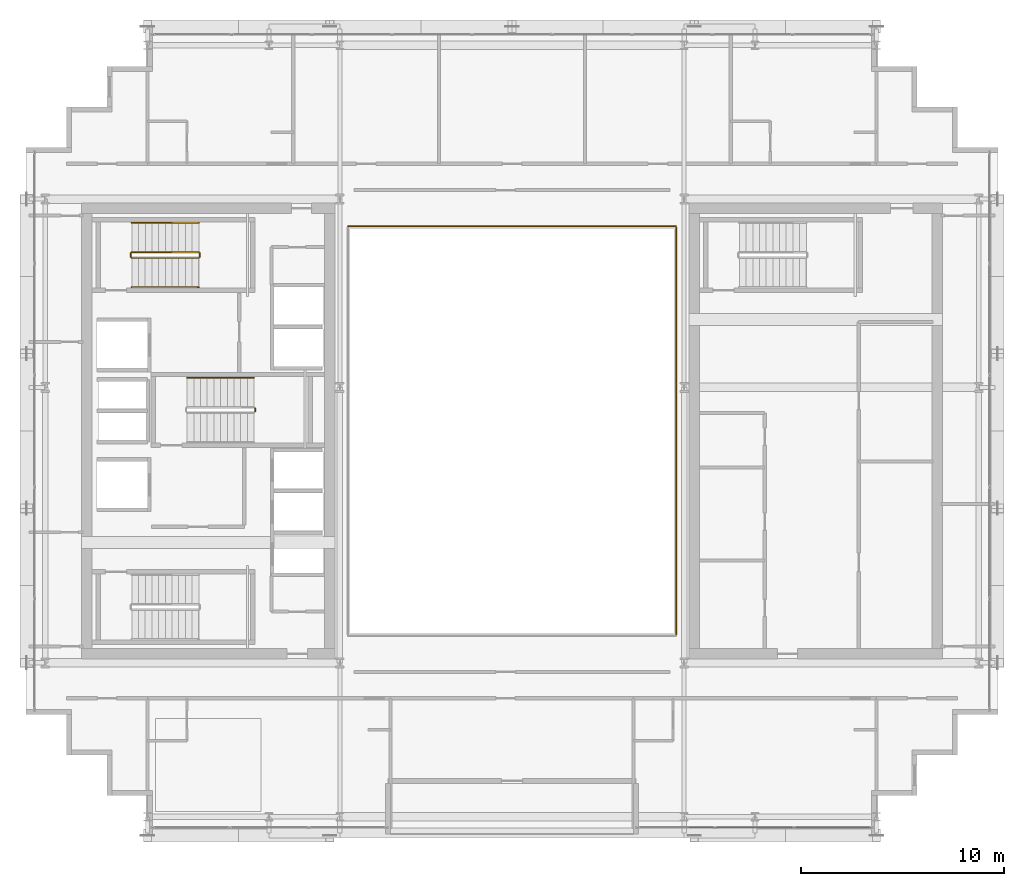
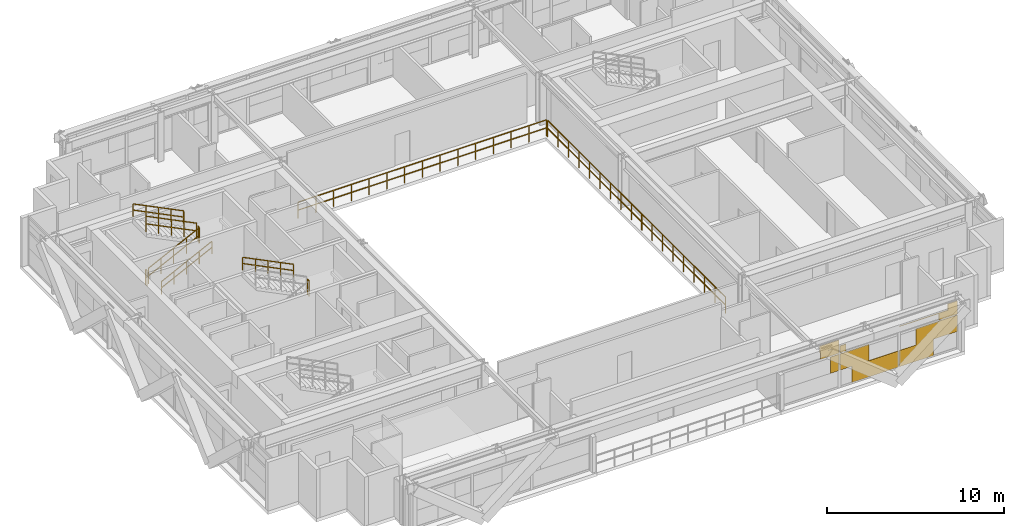
# One storey, part 29 of 31: 10 railings, 1 covering.
"""IFC4 building model written with IfcOpenShell, lengths in metres."""

from ifc_helpers import new_model, si_unit, direction, frame, origin, origin_2d, place, context, subcontext, project, spatial, rectangle, extrude, material, layer, layer_set, type_object, element, save


model = new_model("IFC4")

# Units and contexts
model_context = context("Model", 3, precision=1e-05, world=origin(), true_north=direction((0.0, 1.0)))
body_context = subcontext(model_context, "Body", "Model", "MODEL_VIEW")
ifc_project = project(units=[si_unit("LENGTHUNIT", "METRE"), si_unit("AREAUNIT", "SQUARE_METRE"), si_unit("VOLUMEUNIT", "CUBIC_METRE"), si_unit("PLANEANGLEUNIT", "RADIAN"), si_unit("MASSUNIT", "GRAM", prefix="KILO")], contexts=[model_context])

# Site, building, storey
site_placement = place(None, origin())
site = spatial("IfcSite", under=ifc_project, at=site_placement, CompositionType="ELEMENT")
building_placement = place(site_placement, origin())
building = spatial("IfcBuilding", under=site, at=building_placement, Name="Ocotamira Hotel", CompositionType="ELEMENT")
storey_placement = place(building_placement, frame((0.0, 0.0, 199.199951171875)))
storey = spatial("IfcBuildingStorey", under=building, at=storey_placement, Name="L50", CompositionType="ELEMENT", Elevation=199.199951171875)

# Covering
ifc_material_1 = material(Name="Insulated pale-metal aluminium spandrel panel", Category="aluminium")
ifc_layer = layer(ifc_material_1, 0.044921875)
ifc_layer_set = layer_set([ifc_layer], Name="Insulated pale-metal aluminium spandrel panel")
covering_type = type_object("IfcCoveringType", Name="COV-INFILL-45", PredefinedType="CLADDING", material=ifc_layer_set)
covering_placement = place(storey_placement, origin())
element("IfcCovering", 1, at=covering_placement, inside=storey, type_object=covering_type, Name="L50 Curtain Wall Infill CW-4 CW-L50-S2", PredefinedType="CLADDING", context=body_context, shape_type="SweptSolid", body=[
    extrude(rectangle(XDim=0.543212890625, YDim=0.044921875, at=origin_2d()), frame((41.72119140625, 6.419921875, 1.1943359375), z_axis=(0.0, 0.0, 1.0), x_axis=(1.0, 0.0, 0.0)), (0.0, 0.0, 1.0), 1.11767578125),
    extrude(rectangle(XDim=1.23046875, YDim=0.044921875, at=origin_2d()), frame((41.377685546875, 6.419921875, 2.83154296875), z_axis=(0.0, 0.0, 1.0), x_axis=(1.0, 0.0, 0.0)), (0.0, 0.0, 1.0), 0.462890625),
    extrude(rectangle(XDim=1.19140625, YDim=0.044921875, at=origin_2d()), frame((41.397216796875, 6.419921875, 2.38818359375), z_axis=(0.0, 0.0, 1.0), x_axis=(1.0, 0.0, 0.0)), (0.0, 0.0, 1.0), 0.442626953125),
    extrude(rectangle(XDim=1.893798828125, YDim=0.044921875, at=origin_2d()), frame((43.020751953125, 6.419921875, 1.1943359375), z_axis=(0.0, 0.0, 1.0), x_axis=(1.0, 0.0, 0.0)), (0.0, 0.0, 1.0), 1.11767578125),
    extrude(rectangle(XDim=3.028076171875, YDim=0.044921875, at=origin_2d()), frame((44.362060546875, 6.419921875, 0.07568359375), z_axis=(0.0, 0.0, 1.0), x_axis=(1.0, 0.0, 0.0)), (0.0, 0.0, 1.0), 1.117919921875),
    extrude(rectangle(XDim=0.401611328125, YDim=0.044921875, at=origin_2d()), frame((42.274658203125, 6.419921875, 2.38818359375), z_axis=(0.0, 0.0, 1.0), x_axis=(1.0, 0.0, 0.0)), (0.0, 0.0, 1.0), 0.473876953125),
    extrude(rectangle(XDim=2.19482421875, YDim=0.044921875, at=origin_2d()), frame((47.0546875, 6.419921875, 0.07568359375), z_axis=(0.0, 0.0, 1.0), x_axis=(1.0, 0.0, 0.0)), (0.0, 0.0, 1.0), 1.117919921875),
    extrude(rectangle(XDim=2.68701171875, YDim=0.044921875, at=origin_2d()), frame((48.3759765625, 6.419921875, 1.1943359375), z_axis=(0.0, 0.0, 1.0), x_axis=(1.0, 0.0, 0.0)), (0.0, 0.0, 1.0), 1.11767578125),
    extrude(rectangle(XDim=3.76220703125, YDim=0.044921875, at=origin_2d()), frame((47.83837890625, 6.419921875, 2.83154296875), z_axis=(0.0, 0.0, 1.0), x_axis=(1.0, 0.0, 0.0)), (0.0, 0.0, 1.0), 0.0302734375),
    extrude(rectangle(XDim=1.19482421875, YDim=0.044921875, at=origin_2d()), frame((49.1220703125, 6.419921875, 2.38818359375), z_axis=(0.0, 0.0, 1.0), x_axis=(1.0, 0.0, 0.0)), (0.0, 0.0, 1.0), 0.442626953125),
    extrude(rectangle(XDim=0.601318359375, YDim=0.044921875, at=origin_2d()), frame((49.418701171875, 6.419921875, 2.863037109375), z_axis=(0.0, 0.0, 1.0), x_axis=(1.0, 0.0, 0.0)), (0.0, 0.0, 1.0), 0.431640625),
])

# Railings
ifc_material_2 = material(Name="Painted steel stair guardrail", Category="steel")
railing_type_1 = type_object("IfcRailingType", Name="RL-EDGE-1150", PredefinedType="GUARDRAIL", material=ifc_material_2)
railing_1_placement = place(storey_placement, frame((40.1201171875, 15.9599609375, 0.0)))
element("IfcRailing", 2, at=railing_1_placement, inside=storey, type_object=railing_type_1, Name="L50 Central Atrium Edge Guardrail E", PredefinedType="GUARDRAIL", context=body_context, shape_type="SweptSolid", body=[
    extrude(rectangle(XDim=0.048095703125, YDim=0.048095703125, at=origin_2d()), frame((0.0, 0.0, 1.1259765625), z_axis=(0.0, 1.0, 0.0), x_axis=(-1.0, 0.0, 0.0)), (0.0, 0.0, 1.0), 20.080078125),
    extrude(rectangle(XDim=0.048095703125, YDim=0.048095703125, at=origin_2d()), frame((0.0, 0.0, 0.574951171875), z_axis=(0.0, 1.0, 0.0), x_axis=(-1.0, 0.0, 0.0)), (0.0, 0.0, 1.0), 20.080078125),
    extrude(rectangle(XDim=0.0419921875, YDim=0.0419921875, at=origin_2d()), origin(), (0.0, 0.0, 1.0), 1.101806640625),
    extrude(rectangle(XDim=0.0419921875, YDim=0.0419921875, at=origin_2d()), frame((0.0, 1.18115234375, 0.0)), (0.0, 0.0, 1.0), 1.101806640625),
    extrude(rectangle(XDim=0.0419921875, YDim=0.0419921875, at=origin_2d()), frame((0.0, 2.3623046875, 0.0)), (0.0, 0.0, 1.0), 1.101806640625),
    extrude(rectangle(XDim=0.0419921875, YDim=0.0419921875, at=origin_2d()), frame((0.0, 3.54345703125, 0.0)), (0.0, 0.0, 1.0), 1.101806640625),
    extrude(rectangle(XDim=0.0419921875, YDim=0.0419921875, at=origin_2d()), frame((0.0, 4.724609375, 0.0)), (0.0, 0.0, 1.0), 1.101806640625),
    extrude(rectangle(XDim=0.0419921875, YDim=0.0419921875, at=origin_2d()), frame((0.0, 5.906005859375, 0.0)), (0.0, 0.0, 1.0), 1.101806640625),
    extrude(rectangle(XDim=0.0419921875, YDim=0.0419921875, at=origin_2d()), frame((0.0, 7.087158203125, 0.0)), (0.0, 0.0, 1.0), 1.101806640625),
    extrude(rectangle(XDim=0.0419921875, YDim=0.0419921875, at=origin_2d()), frame((0.0, 8.268310546875, 0.0)), (0.0, 0.0, 1.0), 1.101806640625),
    extrude(rectangle(XDim=0.0419921875, YDim=0.0419921875, at=origin_2d()), frame((0.0, 9.449462890625, 0.0)), (0.0, 0.0, 1.0), 1.101806640625),
    extrude(rectangle(XDim=0.0419921875, YDim=0.0419921875, at=origin_2d()), frame((0.0, 10.630615234375, 0.0)), (0.0, 0.0, 1.0), 1.101806640625),
    extrude(rectangle(XDim=0.0419921875, YDim=0.0419921875, at=origin_2d()), frame((0.0, 11.811767578125, 0.0)), (0.0, 0.0, 1.0), 1.101806640625),
    extrude(rectangle(XDim=0.0419921875, YDim=0.0419921875, at=origin_2d()), frame((0.0, 12.992919921875, 0.0)), (0.0, 0.0, 1.0), 1.101806640625),
    extrude(rectangle(XDim=0.0419921875, YDim=0.0419921875, at=origin_2d()), frame((0.0, 14.174072265625, 0.0)), (0.0, 0.0, 1.0), 1.101806640625),
    extrude(rectangle(XDim=0.0419921875, YDim=0.0419921875, at=origin_2d()), frame((0.0, 15.35546875, 0.0)), (0.0, 0.0, 1.0), 1.101806640625),
    extrude(rectangle(XDim=0.0419921875, YDim=0.0419921875, at=origin_2d()), frame((0.0, 16.53662109375, 0.0)), (0.0, 0.0, 1.0), 1.101806640625),
    extrude(rectangle(XDim=0.0419921875, YDim=0.0419921875, at=origin_2d()), frame((0.0, 17.7177734375, 0.0)), (0.0, 0.0, 1.0), 1.101806640625),
    extrude(rectangle(XDim=0.0419921875, YDim=0.0419921875, at=origin_2d()), frame((0.0, 18.89892578125, 0.0)), (0.0, 0.0, 1.0), 1.101806640625),
    extrude(rectangle(XDim=0.0419921875, YDim=0.0419921875, at=origin_2d()), frame((0.0, 20.080078125, 0.0)), (0.0, 0.0, 1.0), 1.101806640625),
])
railing_2_placement = place(storey_placement, frame((40.10009765625, 36.1201171875, 0.0)))
element("IfcRailing", 3, at=railing_2_placement, inside=storey, type_object=railing_type_1, Name="L50 Central Atrium Edge Guardrail N", PredefinedType="GUARDRAIL", context=body_context, shape_type="SweptSolid", body=[
    extrude(rectangle(XDim=0.048095703125, YDim=0.048095703125, at=origin_2d()), frame((0.0, 0.0, 1.1259765625), z_axis=(-1.0, 0.0, 0.0), x_axis=(0.0, -1.0, 0.0)), (0.0, 0.0, 1.0), 16.2001953125),
    extrude(rectangle(XDim=0.048095703125, YDim=0.048095703125, at=origin_2d()), frame((0.0, 0.0, 0.574951171875), z_axis=(-1.0, 0.0, 0.0), x_axis=(0.0, -1.0, 0.0)), (0.0, 0.0, 1.0), 16.2001953125),
    extrude(rectangle(XDim=0.0419921875, YDim=0.0419921875, at=origin_2d()), origin(), (0.0, 0.0, 1.0), 1.101806640625),
    extrude(rectangle(XDim=0.0419921875, YDim=0.0419921875, at=origin_2d()), frame((-1.1572265625, 0.0, 0.0)), (0.0, 0.0, 1.0), 1.101806640625),
    extrude(rectangle(XDim=0.0419921875, YDim=0.0419921875, at=origin_2d()), frame((-2.314208984375, 0.0, 0.0)), (0.0, 0.0, 1.0), 1.101806640625),
    extrude(rectangle(XDim=0.0419921875, YDim=0.0419921875, at=origin_2d()), frame((-3.471435546875, 0.0, 0.0)), (0.0, 0.0, 1.0), 1.101806640625),
    extrude(rectangle(XDim=0.0419921875, YDim=0.0419921875, at=origin_2d()), frame((-4.628662109375, 0.0, 0.0)), (0.0, 0.0, 1.0), 1.101806640625),
    extrude(rectangle(XDim=0.0419921875, YDim=0.0419921875, at=origin_2d()), frame((-5.785888671875, 0.0, 0.0)), (0.0, 0.0, 1.0), 1.101806640625),
    extrude(rectangle(XDim=0.0419921875, YDim=0.0419921875, at=origin_2d()), frame((-6.94287109375, 0.0, 0.0)), (0.0, 0.0, 1.0), 1.101806640625),
    extrude(rectangle(XDim=0.0419921875, YDim=0.0419921875, at=origin_2d()), frame((-8.10009765625, 0.0, 0.0)), (0.0, 0.0, 1.0), 1.101806640625),
    extrude(rectangle(XDim=0.0419921875, YDim=0.0419921875, at=origin_2d()), frame((-9.25732421875, 0.0, 0.0)), (0.0, 0.0, 1.0), 1.101806640625),
    extrude(rectangle(XDim=0.0419921875, YDim=0.0419921875, at=origin_2d()), frame((-10.414306640625, 0.0, 0.0)), (0.0, 0.0, 1.0), 1.101806640625),
    extrude(rectangle(XDim=0.0419921875, YDim=0.0419921875, at=origin_2d()), frame((-11.571533203125, 0.0, 0.0)), (0.0, 0.0, 1.0), 1.101806640625),
    extrude(rectangle(XDim=0.0419921875, YDim=0.0419921875, at=origin_2d()), frame((-12.728759765625, 0.0, 0.0)), (0.0, 0.0, 1.0), 1.101806640625),
    extrude(rectangle(XDim=0.0419921875, YDim=0.0419921875, at=origin_2d()), frame((-13.885986328125, 0.0, 0.0)), (0.0, 0.0, 1.0), 1.101806640625),
    extrude(rectangle(XDim=0.0419921875, YDim=0.0419921875, at=origin_2d()), frame((-15.04296875, 0.0, 0.0)), (0.0, 0.0, 1.0), 1.101806640625),
    extrude(rectangle(XDim=0.0419921875, YDim=0.0419921875, at=origin_2d()), frame((-16.2001953125, 0.0, 0.0)), (0.0, 0.0, 1.0), 1.101806640625),
])
ifc_material_3 = material(Name="Brushed stainless steel handrail", Category="steel")
railing_type_2 = type_object("IfcRailingType", Name="RL-HAND-900", PredefinedType="HANDRAIL", material=ifc_material_3)
railing_3_placement = place(storey_placement, frame((13.22998046875, 33.10009765625, 0.327392578125)))
element("IfcRailing", 4, at=railing_3_placement, inside=storey, type_object=railing_type_2, Name="L50 ST-2 stair handrail 1", PredefinedType="HANDRAIL", context=body_context, shape_type="SweptSolid", body=[
    extrude(rectangle(XDim=0.048095703125, YDim=0.048095703125, at=origin_2d()), frame((0.0, 0.0, 0.8759765625), z_axis=(0.895920123917, 0.0, 0.444215186098), x_axis=(0.0, 1.0, 0.0)), (0.0, 0.0, 1.0), 3.683349609375),
    extrude(rectangle(XDim=0.048095703125, YDim=0.048095703125, at=origin_2d()), frame((0.0, 0.0, 0.449951171875), z_axis=(0.895920123917, 0.0, 0.444215186098), x_axis=(0.0, 1.0, 0.0)), (0.0, 0.0, 1.0), 3.683349609375),
    extrude(rectangle(XDim=0.0419921875, YDim=0.0419921875, at=origin_2d()), origin(), (0.0, 0.0, 1.0), 0.851806640625),
    extrude(rectangle(XDim=0.0419921875, YDim=0.0419921875, at=origin_2d()), frame((0.824951171875, 0.0, 0.4091796875)), (0.0, 0.0, 1.0), 0.851806640625),
    extrude(rectangle(XDim=0.0419921875, YDim=0.0419921875, at=origin_2d()), frame((1.64990234375, 0.0, 0.818115234375)), (0.0, 0.0, 1.0), 0.851806640625),
    extrude(rectangle(XDim=0.0419921875, YDim=0.0419921875, at=origin_2d()), frame((2.47509765625, 0.0, 1.22705078125)), (0.0, 0.0, 1.0), 0.851806640625),
    extrude(rectangle(XDim=0.0419921875, YDim=0.0419921875, at=origin_2d()), frame((3.300048828125, 0.0, 1.63623046875)), (0.0, 0.0, 1.0), 0.851806640625),
])
for number, where, name in (
    (5, (16.530029296875, 36.280029296875, 2.12744140625), "L50 ST-2 stair handrail 2"),
    (6, (19.260009765625, 28.6298828125, 2.12744140625), "L50 ST-3 stair handrail 2"),
):
    element("IfcRailing", number, at=place(storey_placement, frame(where)), inside=storey, type_object=railing_type_2, Name=name, PredefinedType="HANDRAIL", context=body_context, shape_type="SweptSolid", body=[
        extrude(rectangle(XDim=0.048095703125, YDim=0.048095703125, at=origin_2d()), frame((0.0, 0.0, 0.8759765625), z_axis=(-0.895920123917, 0.0, 0.444215186098), x_axis=(0.0, -1.0, 0.0)), (0.0, 0.0, 1.0), 3.683349609375),
        extrude(rectangle(XDim=0.048095703125, YDim=0.048095703125, at=origin_2d()), frame((0.0, 0.0, 0.449951171875), z_axis=(-0.895920123917, 0.0, 0.444215186098), x_axis=(0.0, -1.0, 0.0)), (0.0, 0.0, 1.0), 3.683349609375),
        extrude(rectangle(XDim=0.0419921875, YDim=0.0419921875, at=origin_2d()), origin(), (0.0, 0.0, 1.0), 0.851806640625),
        extrude(rectangle(XDim=0.0419921875, YDim=0.0419921875, at=origin_2d()), frame((-0.824951171875, 0.0, 0.4091796875)), (0.0, 0.0, 1.0), 0.851806640625),
        extrude(rectangle(XDim=0.0419921875, YDim=0.0419921875, at=origin_2d()), frame((-1.64990234375, 0.0, 0.818115234375)), (0.0, 0.0, 1.0), 0.851806640625),
        extrude(rectangle(XDim=0.0419921875, YDim=0.0419921875, at=origin_2d()), frame((-2.47509765625, 0.0, 1.22705078125)), (0.0, 0.0, 1.0), 0.851806640625),
        extrude(rectangle(XDim=0.0419921875, YDim=0.0419921875, at=origin_2d()), frame((-3.300048828125, 0.0, 1.63623046875)), (0.0, 0.0, 1.0), 0.851806640625),
    ])
railing_type_3 = type_object("IfcRailingType", Name="RL-STAIR-1100", PredefinedType="GUARDRAIL", material=ifc_material_2)
railing_4_placement = place(storey_placement, frame((13.22998046875, 34.56005859375, 0.16357421875)))
element("IfcRailing", 7, at=railing_4_placement, inside=storey, type_object=railing_type_3, Name="L50 ST-2 stair guard 1", PredefinedType="GUARDRAIL", context=body_context, shape_type="SweptSolid", body=[
    extrude(rectangle(XDim=0.048095703125, YDim=0.048095703125, at=origin_2d()), frame((0.0, 0.0, 1.076171875), z_axis=(0.895893744519, 0.0, 0.4442683857), x_axis=(0.0, 1.0, 0.0)), (0.0, 0.0, 1.0), 3.68359375),
    extrude(rectangle(XDim=0.048095703125, YDim=0.048095703125, at=origin_2d()), frame((0.0, 0.0, 0.550048828125), z_axis=(0.895893744519, 0.0, 0.4442683857), x_axis=(0.0, 1.0, 0.0)), (0.0, 0.0, 1.0), 3.68359375),
    extrude(rectangle(XDim=0.0419921875, YDim=0.0419921875, at=origin_2d()), origin(), (0.0, 0.0, 1.0), 1.052001953125),
    extrude(rectangle(XDim=0.0419921875, YDim=0.0419921875, at=origin_2d()), frame((0.824951171875, 0.0, 0.4091796875)), (0.0, 0.0, 1.0), 1.052001953125),
    extrude(rectangle(XDim=0.0419921875, YDim=0.0419921875, at=origin_2d()), frame((1.64990234375, 0.0, 0.818359375)), (0.0, 0.0, 1.0), 1.052001953125),
    extrude(rectangle(XDim=0.0419921875, YDim=0.0419921875, at=origin_2d()), frame((2.47509765625, 0.0, 1.227294921875)), (0.0, 0.0, 1.0), 1.052001953125),
    extrude(rectangle(XDim=0.0419921875, YDim=0.0419921875, at=origin_2d()), frame((3.300048828125, 0.0, 1.636474609375)), (0.0, 0.0, 1.0), 1.052001953125),
])
railing_5_placement = place(storey_placement, frame((16.580078125, 34.610107421875, 1.800048828125)))
element("IfcRailing", 8, at=railing_5_placement, inside=storey, type_object=railing_type_3, Name="L50 ST-2 stair guard 2", PredefinedType="GUARDRAIL", context=body_context, shape_type="SweptSolid", body=[
    extrude(rectangle(XDim=0.048095703125, YDim=0.048095703125, at=origin_2d()), frame((0.0, 0.0, 1.076171875), z_axis=(0.0, 1.0, 0.0), x_axis=(-1.0, 0.0, 0.0)), (0.0, 0.0, 1.0), 0.159912109375),
    extrude(rectangle(XDim=0.048095703125, YDim=0.048095703125, at=origin_2d()), frame((0.0, 0.0, 0.550048828125), z_axis=(0.0, 1.0, 0.0), x_axis=(-1.0, 0.0, 0.0)), (0.0, 0.0, 1.0), 0.159912109375),
    extrude(rectangle(XDim=0.0419921875, YDim=0.0419921875, at=origin_2d()), origin(), (0.0, 0.0, 1.0), 1.052001953125),
    extrude(rectangle(XDim=0.0419921875, YDim=0.0419921875, at=origin_2d()), frame((0.0, 0.159912109375, 0.0)), (0.0, 0.0, 1.0), 1.052001953125),
])
railing_6_placement = place(storey_placement, frame((16.530029296875, 34.820068359375, 1.963623046875)))
element("IfcRailing", 9, at=railing_6_placement, inside=storey, type_object=railing_type_3, Name="L50 ST-2 stair guard 3", PredefinedType="GUARDRAIL", context=body_context, shape_type="SweptSolid", body=[
    extrude(rectangle(XDim=0.048095703125, YDim=0.048095703125, at=origin_2d()), frame((0.0, 0.0, 1.076171875), z_axis=(-0.895893744519, 0.0, 0.4442683857), x_axis=(0.0, -1.0, 0.0)), (0.0, 0.0, 1.0), 3.68359375),
    extrude(rectangle(XDim=0.048095703125, YDim=0.048095703125, at=origin_2d()), frame((0.0, 0.0, 0.550048828125), z_axis=(-0.895893744519, 0.0, 0.4442683857), x_axis=(0.0, -1.0, 0.0)), (0.0, 0.0, 1.0), 3.68359375),
    extrude(rectangle(XDim=0.0419921875, YDim=0.0419921875, at=origin_2d()), origin(), (0.0, 0.0, 1.0), 1.052001953125),
    extrude(rectangle(XDim=0.0419921875, YDim=0.0419921875, at=origin_2d()), frame((-0.824951171875, 0.0, 0.4091796875)), (0.0, 0.0, 1.0), 1.052001953125),
    extrude(rectangle(XDim=0.0419921875, YDim=0.0419921875, at=origin_2d()), frame((-1.64990234375, 0.0, 0.818359375)), (0.0, 0.0, 1.0), 1.052001953125),
    extrude(rectangle(XDim=0.0419921875, YDim=0.0419921875, at=origin_2d()), frame((-2.47509765625, 0.0, 1.227294921875)), (0.0, 0.0, 1.0), 1.052001953125),
    extrude(rectangle(XDim=0.0419921875, YDim=0.0419921875, at=origin_2d()), frame((-3.300048828125, 0.0, 1.636474609375)), (0.0, 0.0, 1.0), 1.052001953125),
])
railing_7_placement = place(storey_placement, frame((13.179931640625, 34.610107421875, 0.0)))
element("IfcRailing", 10, at=railing_7_placement, inside=storey, type_object=railing_type_3, Name="L50 ST-2 stair guard 4", PredefinedType="GUARDRAIL", context=body_context, shape_type="SweptSolid", body=[
    extrude(rectangle(XDim=0.048095703125, YDim=0.048095703125, at=origin_2d()), frame((0.0, 0.0, 1.076171875), z_axis=(0.0, 1.0, 0.0), x_axis=(-1.0, 0.0, 0.0)), (0.0, 0.0, 1.0), 0.159912109375),
    extrude(rectangle(XDim=0.048095703125, YDim=0.048095703125, at=origin_2d()), frame((0.0, 0.0, 0.550048828125), z_axis=(0.0, 1.0, 0.0), x_axis=(-1.0, 0.0, 0.0)), (0.0, 0.0, 1.0), 0.159912109375),
    extrude(rectangle(XDim=0.0419921875, YDim=0.0419921875, at=origin_2d()), origin(), (0.0, 0.0, 1.0), 1.052001953125),
    extrude(rectangle(XDim=0.0419921875, YDim=0.0419921875, at=origin_2d()), frame((0.0, 0.159912109375, 0.0)), (0.0, 0.0, 1.0), 1.052001953125),
])
railing_8_placement = place(storey_placement, frame((19.31005859375, 26.9599609375, 1.800048828125)))
element("IfcRailing", 11, at=railing_8_placement, inside=storey, type_object=railing_type_3, Name="L50 ST-3 stair guard 2", PredefinedType="GUARDRAIL", context=body_context, shape_type="SweptSolid", body=[
    extrude(rectangle(XDim=0.048095703125, YDim=0.048095703125, at=origin_2d()), frame((0.0, 0.0, 1.076171875), z_axis=(0.0, 1.0, 0.0), x_axis=(-1.0, 0.0, 0.0)), (0.0, 0.0, 1.0), 0.16015625),
    extrude(rectangle(XDim=0.048095703125, YDim=0.048095703125, at=origin_2d()), frame((0.0, 0.0, 0.550048828125), z_axis=(0.0, 1.0, 0.0), x_axis=(-1.0, 0.0, 0.0)), (0.0, 0.0, 1.0), 0.16015625),
    extrude(rectangle(XDim=0.0419921875, YDim=0.0419921875, at=origin_2d()), origin(), (0.0, 0.0, 1.0), 1.052001953125),
    extrude(rectangle(XDim=0.0419921875, YDim=0.0419921875, at=origin_2d()), frame((0.0, 0.16015625, 0.0)), (0.0, 0.0, 1.0), 1.052001953125),
])

save(model, "model.ifc")
